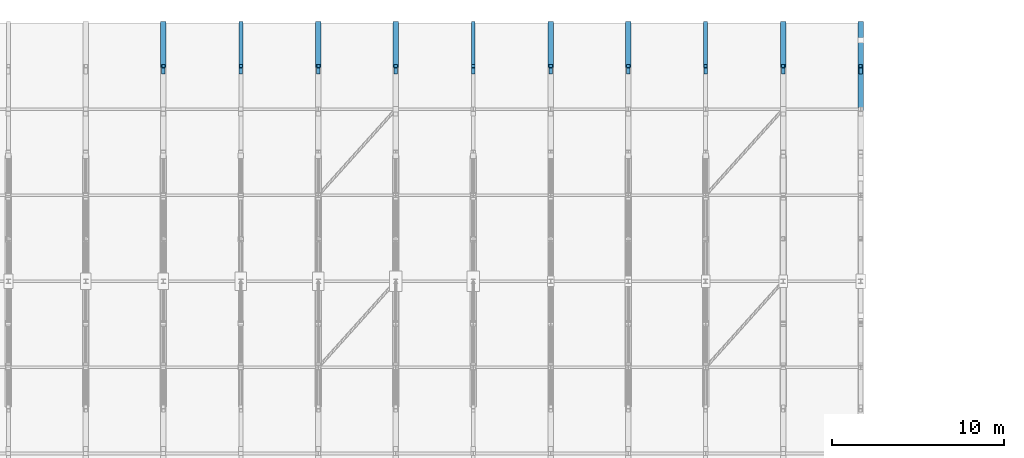
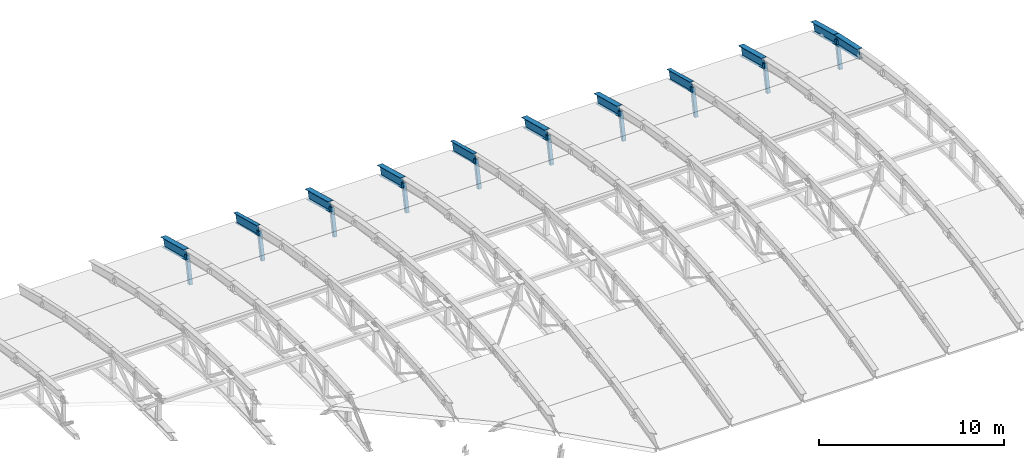
# One storey, part 29 of 53: 11 beams, 10 members.
"""IFC4 building model written with IfcOpenShell, lengths in metres."""

from ifc_helpers import new_model, si_unit, direction, frame, origin, origin_2d, place, context, subcontext, project, spatial, hollow_rectangle, i_section, extrude, material, material_profile, profile_set, type_object, element, save


model = new_model("IFC4")

# Units and contexts
model_context = context("Model", 3, precision=1e-05, world=origin(), true_north=direction((0.0, 1.0)))
body_context = subcontext(model_context, "Body", "Model", "MODEL_VIEW")
ifc_project = project(units=[si_unit("LENGTHUNIT", "METRE"), si_unit("AREAUNIT", "SQUARE_METRE"), si_unit("VOLUMEUNIT", "CUBIC_METRE"), si_unit("PLANEANGLEUNIT", "RADIAN"), si_unit("MASSUNIT", "GRAM", prefix="KILO")], contexts=[model_context])

# Site, building, storey
site_placement = place(None, origin())
site = spatial("IfcSite", under=ifc_project, at=site_placement, CompositionType="ELEMENT")
building_placement = place(site_placement, origin())
building = spatial("IfcBuilding", under=site, at=building_placement, Name="Cazmaro Siding Exhibition Halls", CompositionType="ELEMENT")
storey_placement = place(building_placement, frame((0.0, 0.0, 21.0)))
storey = spatial("IfcBuildingStorey", under=building, at=storey_placement, Name="L04", CompositionType="ELEMENT", Elevation=21.0)

# Beams
ifc_material_1 = material(Name="Steel ASTM A992 Grade 50", Category="steel")
ifc_material_profile_1 = material_profile(ifc_material_1, i_section(OverallWidth=0.327880859375, OverallDepth=0.626953125, WebThickness=0.01708984375, FlangeThickness=0.028076171875, at=origin_2d()), Name="W24X146")
ifc_profile_set_1 = profile_set([ifc_material_profile_1], Name="Steel ASTM A992 Grade 50")
beam_type_1 = type_object("IfcBeamType", Name="AR-01", PredefinedType="USERDEFINED", material=ifc_profile_set_1)
for number, where, z_axis, x_axis, name in (
    (1, (139.5, 106.5, 1.02001953125), (0.0, 0.966391398669, -0.257075211911), (-1.0, 0.0, 0.0), "Space frame barrel vault arched rib AR-01 BM-1056"),
    (2, (153.0, 106.5, 1.02001953125), (0.0, 0.966391398669, -0.257075211911), (-1.0, 0.0, 0.0), "Space frame barrel vault arched rib AR-01 BM-1128"),
    (3, (166.5, 106.5, 1.02001953125), (0.0, 0.966391398669, -0.257075211911), (-1.0, 0.0, 0.0), "Space frame barrel vault arched rib AR-01 BM-1200"),
):
    element("IfcBeam", number, at=place(storey_placement, frame(where, z_axis=z_axis, x_axis=x_axis)), inside=storey, type_object=beam_type_1, Name=name, ObjectType="ARCHED RIB", PredefinedType="USERDEFINED", context=body_context, shape_type="SweptSolid", body=[
        extrude(i_section(OverallWidth=0.327880859375, OverallDepth=0.626953125, WebThickness=0.01708984375, FlangeThickness=0.028076171875, at=origin_2d()), origin(), (0.0, 0.0, 1.0), 2.5869140625),
    ])
ifc_material_2 = material(Name="Steel ASTM A992 Grade 50", Category="steel")
ifc_material_profile_2 = material_profile(ifc_material_2, i_section(OverallWidth=0.324951171875, OverallDepth=0.612060546875, WebThickness=0.012939453125, FlangeThickness=0.01904296875, at=origin_2d()), Name="W24X104")
ifc_profile_set_2 = profile_set([ifc_material_profile_2], Name="Steel ASTM A992 Grade 50")
beam_type_2 = type_object("IfcBeamType", Name="AR-02", PredefinedType="USERDEFINED", material=ifc_profile_set_2)
for number, where, z_axis, x_axis, name in (
    (4, (130.5, 106.5, 1.02001953125), (0.0, 0.966391398669, -0.257075211911), (-1.0, 0.0, 0.0), "Space frame barrel vault arched rib AR-02 BM-1008"),
    (5, (144.0, 106.5, 1.02001953125), (0.0, 0.966391398669, -0.257075211911), (-1.0, 0.0, 0.0), "Space frame barrel vault arched rib AR-02 BM-1080"),
    (6, (157.5, 106.5, 1.02001953125), (0.0, 0.966391398669, -0.257075211911), (-1.0, 0.0, 0.0), "Space frame barrel vault arched rib AR-02 BM-1152"),
):
    element("IfcBeam", number, at=place(storey_placement, frame(where, z_axis=z_axis, x_axis=x_axis)), inside=storey, type_object=beam_type_2, Name=name, ObjectType="ARCHED RIB", PredefinedType="USERDEFINED", context=body_context, shape_type="SweptSolid", body=[
        extrude(i_section(OverallWidth=0.324951171875, OverallDepth=0.612060546875, WebThickness=0.012939453125, FlangeThickness=0.01904296875, at=origin_2d()), origin(), (0.0, 0.0, 1.0), 2.5869140625),
    ])
beam_1_placement = place(storey_placement, frame((171.0, 104.0, 1.556884765625), z_axis=(0.0, 0.977710100146, -0.209959424826), x_axis=(-1.0, 0.0, 0.0)))
element("IfcBeam", 7, at=beam_1_placement, inside=storey, type_object=beam_type_2, Name="Space frame barrel vault arched rib AR-02 BM-1223", ObjectType="ARCHED RIB", PredefinedType="USERDEFINED", context=body_context, shape_type="SweptSolid", body=[
    extrude(i_section(OverallWidth=0.324951171875, OverallDepth=0.612060546875, WebThickness=0.012939453125, FlangeThickness=0.01904296875, at=origin_2d()), origin(), (0.0, 0.0, 1.0), 2.556884765625),
])
beam_2_placement = place(storey_placement, frame((171.0, 106.5, 1.02001953125), z_axis=(0.0, 0.966391398669, -0.257075211911), x_axis=(-1.0, 0.0, 0.0)))
element("IfcBeam", 8, at=beam_2_placement, inside=storey, type_object=beam_type_2, Name="Space frame barrel vault arched rib AR-02 BM-1224", ObjectType="ARCHED RIB", PredefinedType="USERDEFINED", context=body_context, shape_type="SweptSolid", body=[
    extrude(i_section(OverallWidth=0.324951171875, OverallDepth=0.612060546875, WebThickness=0.012939453125, FlangeThickness=0.01904296875, at=origin_2d()), origin(), (0.0, 0.0, 1.0), 2.5869140625),
])
ifc_material_3 = material(Name="Steel ASTM A992 Grade 50", Category="steel")
ifc_material_profile_3 = material_profile(ifc_material_3, i_section(OverallWidth=0.22900390625, OverallDepth=0.612060546875, WebThickness=0.011962890625, FlangeThickness=0.02001953125, at=origin_2d()), Name="W24X84")
ifc_profile_set_3 = profile_set([ifc_material_profile_3], Name="Steel ASTM A992 Grade 50")
beam_type_3 = type_object("IfcBeamType", Name="AR-03", PredefinedType="USERDEFINED", material=ifc_profile_set_3)
for number, where, z_axis, x_axis, name in (
    (9, (135.0, 106.5, 1.02001953125), (0.0, 0.966391398669, -0.257075211911), (-1.0, 0.0, 0.0), "Space frame barrel vault arched rib AR-03 BM-1032"),
    (10, (148.5, 106.5, 1.02001953125), (0.0, 0.966391398669, -0.257075211911), (-1.0, 0.0, 0.0), "Space frame barrel vault arched rib AR-03 BM-1104"),
    (11, (162.0, 106.5, 1.02001953125), (0.0, 0.966391398669, -0.257075211911), (-1.0, 0.0, 0.0), "Space frame barrel vault arched rib AR-03 BM-1176"),
):
    element("IfcBeam", number, at=place(storey_placement, frame(where, z_axis=z_axis, x_axis=x_axis)), inside=storey, type_object=beam_type_3, Name=name, ObjectType="ARCHED RIB", PredefinedType="USERDEFINED", context=body_context, shape_type="SweptSolid", body=[
        extrude(i_section(OverallWidth=0.22900390625, OverallDepth=0.612060546875, WebThickness=0.011962890625, FlangeThickness=0.02001953125, at=origin_2d()), origin(), (0.0, 0.0, 1.0), 2.5869140625),
    ])

# Members
ifc_material_4 = material(Name="Steel ASTM A500 Grade C", Category="steel")
ifc_material_profile_4 = material_profile(ifc_material_4, hollow_rectangle(XDim=0.202880859375, YDim=0.202880859375, WallThickness=0.011962890625, at=origin_2d()), Name="HSS8X8X1/2")
ifc_profile_set_4 = profile_set([ifc_material_profile_4], Name="Steel ASTM A500 Grade C")
member_type = type_object("IfcMemberType", Name="TP-01", PredefinedType="POST", material=ifc_profile_set_4)
for number, where, z_axis, x_axis, name in (
    (12, (130.5, 106.14990234375, -0.739013671875), (0.0, 0.195199839578, 0.980763489649), (-1.0, 0.0, 0.0), "Space frame barrel vault post TP-01 MEM-1366"),
    (13, (135.0, 106.14990234375, -0.739013671875), (0.0, 0.195199839578, 0.980763489649), (-1.0, 0.0, 0.0), "Space frame barrel vault post TP-01 MEM-1437"),
    (14, (139.5, 106.14990234375, -0.739013671875), (0.0, 0.195199839578, 0.980763489649), (-1.0, 0.0, 0.0), "Space frame barrel vault post TP-01 MEM-1508"),
    (15, (144.0, 106.14990234375, -0.739013671875), (0.0, 0.195199839578, 0.980763489649), (-1.0, 0.0, 0.0), "Space frame barrel vault post TP-01 MEM-1579"),
    (16, (148.5, 106.14990234375, -0.739013671875), (0.0, 0.195199839578, 0.980763489649), (-1.0, 0.0, 0.0), "Space frame barrel vault post TP-01 MEM-1650"),
    (17, (153.0, 106.14990234375, -0.739013671875), (0.0, 0.195199839578, 0.980763489649), (-1.0, 0.0, 0.0), "Space frame barrel vault post TP-01 MEM-1721"),
    (18, (157.5, 106.14990234375, -0.739013671875), (0.0, 0.195199839578, 0.980763489649), (-1.0, 0.0, 0.0), "Space frame barrel vault post TP-01 MEM-1792"),
    (19, (162.0, 106.14990234375, -0.739013671875), (0.0, 0.195199839578, 0.980763489649), (-1.0, 0.0, 0.0), "Space frame barrel vault post TP-01 MEM-1863"),
    (20, (166.5, 106.14990234375, -0.739013671875), (0.0, 0.195199839578, 0.980763489649), (-1.0, 0.0, 0.0), "Space frame barrel vault post TP-01 MEM-1910"),
    (21, (171.0, 106.14990234375, -0.739013671875), (0.0, 0.195199839578, 0.980763489649), (-1.0, 0.0, 0.0), "Space frame barrel vault post TP-01 MEM-1957"),
):
    element("IfcMember", number, at=place(storey_placement, frame(where, z_axis=z_axis, x_axis=x_axis)), inside=storey, type_object=member_type, Name=name, PredefinedType="POST", context=body_context, shape_type="SweptSolid", body=[
        extrude(hollow_rectangle(XDim=0.202880859375, YDim=0.202880859375, WallThickness=0.011962890625, at=origin_2d()), origin(), (0.0, 0.0, 1.0), 1.79345703125),
    ])

save(model, "model.ifc")
